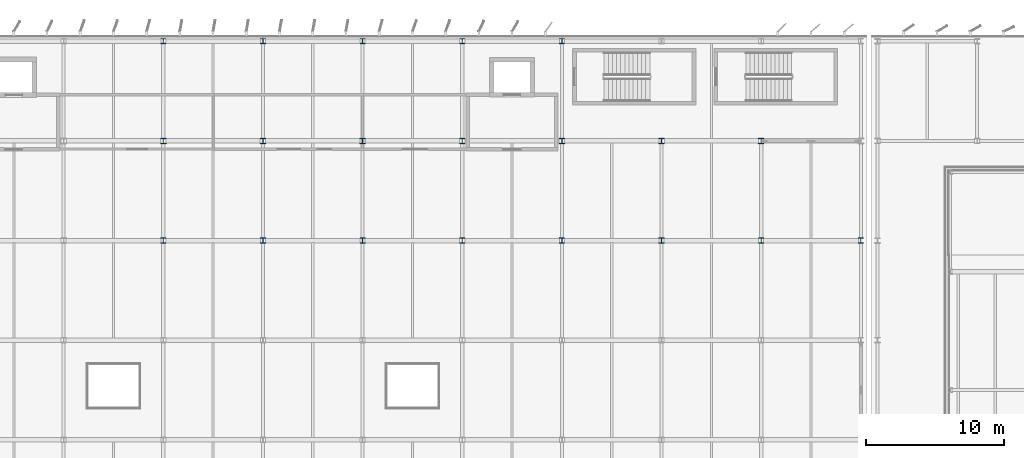
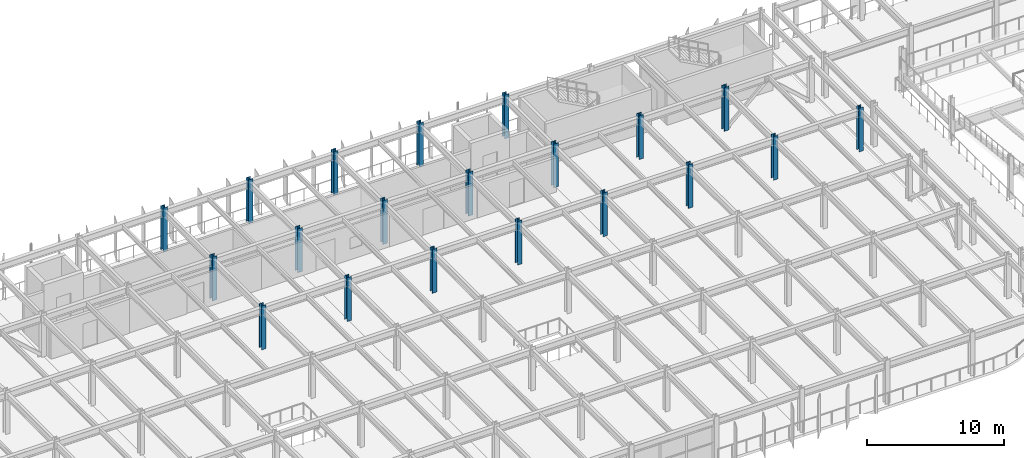
# One storey, part 7 of 80: 20 columns.
"""IFC4 building model written with IfcOpenShell, lengths in metres."""

from ifc_helpers import new_model, si_unit, direction, frame, origin, origin_2d, place, context, subcontext, project, spatial, i_section, extrude, material, material_profile, profile_set, type_object, element, save


model = new_model("IFC4")

# Units and contexts
model_context = context("Model", 3, precision=1e-05, world=origin(), true_north=direction((0.0, 1.0)))
body_context = subcontext(model_context, "Body", "Model", "MODEL_VIEW")
ifc_project = project(units=[si_unit("LENGTHUNIT", "METRE"), si_unit("AREAUNIT", "SQUARE_METRE"), si_unit("VOLUMEUNIT", "CUBIC_METRE"), si_unit("PLANEANGLEUNIT", "RADIAN"), si_unit("MASSUNIT", "GRAM", prefix="KILO")], contexts=[model_context])

# Site, building, storey
site_placement = place(None, origin())
site = spatial("IfcSite", under=ifc_project, at=site_placement, CompositionType="ELEMENT")
building_placement = place(site_placement, origin())
building = spatial("IfcBuilding", under=site, at=building_placement, Name="Vaelcorin Mobility Hub", CompositionType="ELEMENT")
storey_placement = place(building_placement, frame((0.0, 0.0, 9.300048828125)))
storey = spatial("IfcBuildingStorey", under=building, at=storey_placement, Name="L02", CompositionType="ELEMENT", Elevation=9.300048828125)

# Columns
ifc_material = material(Name="Steel ASTM A992 Grade 50", Category="steel")
ifc_material_profile_1 = material_profile(ifc_material, i_section(OverallWidth=0.373046875, OverallDepth=0.373046875, WebThickness=0.016357421875, FlangeThickness=0.026123046875, FilletRadius=0.014892578125, at=origin_2d()), Name="W14X132")
ifc_profile_set_1 = profile_set([ifc_material_profile_1], Name="Steel ASTM A992 Grade 50")
column_type_1 = type_object("IfcColumnType", Name="COL-W14X132", PredefinedType="COLUMN", material=ifc_profile_set_1)
for number, where, z_axis, x_axis, name in (
    (1, (72.0, 105.60009765625, 0.0), (0.0, 0.0, 1.0), (1.0, 0.0, 0.0), "Column V4-X06Y05 L02"),
    (2, (72.0, 120.0, 0.0), (0.0, 0.0, 1.0), (1.0, 0.0, 0.0), "Column V4-X06Y07 L02"),
    (3, (79.199951171875, 105.60009765625, 0.0), (0.0, 0.0, 1.0), (1.0, 0.0, 0.0), "Column V4-X07Y05 L02"),
    (4, (79.199951171875, 120.0, 0.0), (0.0, 0.0, 1.0), (1.0, 0.0, 0.0), "Column V4-X07Y07 L02"),
    (5, (86.39990234375, 105.60009765625, 0.0), (0.0, 0.0, 1.0), (1.0, 0.0, 0.0), "Column V4-X08Y05 L02"),
    (6, (86.39990234375, 120.0, 0.0), (0.0, 0.0, 1.0), (1.0, 0.0, 0.0), "Column V4-X08Y07 L02"),
    (7, (93.60009765625, 105.60009765625, 0.0), (0.0, 0.0, 1.0), (1.0, 0.0, 0.0), "Column V4-X09Y05 L02"),
    (8, (93.60009765625, 120.0, 0.0), (0.0, 0.0, 1.0), (1.0, 0.0, 0.0), "Column V4-X09Y07 L02"),
    (9, (100.800048828125, 105.60009765625, 0.0), (0.0, 0.0, 1.0), (1.0, 0.0, 0.0), "Column V4-X10Y05 L02"),
    (10, (100.800048828125, 120.0, 0.0), (0.0, 0.0, 1.0), (1.0, 0.0, 0.0), "Column V4-X10Y07 L02"),
    (11, (108.0, 105.60009765625, 0.0), (0.0, 0.0, 1.0), (1.0, 0.0, 0.0), "Column V4-X11Y05 L02"),
    (12, (115.199951171875, 105.60009765625, 0.0), (0.0, 0.0, 1.0), (1.0, 0.0, 0.0), "Column V4-X12Y05 L02"),
    (13, (122.39990234375, 105.60009765625, 0.0), (0.0, 0.0, 1.0), (1.0, 0.0, 0.0), "Column V4-X13Y05 L02"),
):
    element("IfcColumn", number, at=place(storey_placement, frame(where, z_axis=z_axis, x_axis=x_axis)), inside=storey, type_object=column_type_1, Name=name, PredefinedType="COLUMN", context=body_context, shape_type="SweptSolid", body=[
        extrude(i_section(OverallWidth=0.373046875, OverallDepth=0.373046875, WebThickness=0.016357421875, FlangeThickness=0.026123046875, FilletRadius=0.014892578125, at=origin_2d()), origin(), (0.0, 0.0, 1.0), 3.89990234375),
    ])
ifc_material_profile_2 = material_profile(ifc_material, i_section(OverallWidth=0.39599609375, OverallDepth=0.381103515625, WebThickness=0.018798828125, FlangeThickness=0.0302734375, FilletRadius=0.014892578125, at=origin_2d()), Name="W14X159")
ifc_profile_set_2 = profile_set([ifc_material_profile_2], Name="Steel ASTM A992 Grade 50")
column_type_2 = type_object("IfcColumnType", Name="COL-W14X159", PredefinedType="COLUMN", material=ifc_profile_set_2)
for number, where, z_axis, x_axis, name in (
    (14, (72.0, 112.800048828125, 0.0), (0.0, 0.0, 1.0), (1.0, 0.0, 0.0), "Column V4-X06Y06 L02"),
    (15, (79.199951171875, 112.800048828125, 0.0), (0.0, 0.0, 1.0), (1.0, 0.0, 0.0), "Column V4-X07Y06 L02"),
    (16, (86.39990234375, 112.800048828125, 0.0), (0.0, 0.0, 1.0), (1.0, 0.0, 0.0), "Column V4-X08Y06 L02"),
    (17, (93.60009765625, 112.800048828125, 0.0), (0.0, 0.0, 1.0), (1.0, 0.0, 0.0), "Column V4-X09Y06 L02"),
    (18, (100.800048828125, 112.800048828125, 0.0), (0.0, 0.0, 1.0), (1.0, 0.0, 0.0), "Column V4-X10Y06 L02"),
    (19, (108.0, 112.800048828125, 0.0), (0.0, 0.0, 1.0), (1.0, 0.0, 0.0), "Column V4-X11Y06 L02"),
    (20, (115.199951171875, 112.800048828125, 0.0), (0.0, 0.0, 1.0), (1.0, 0.0, 0.0), "Column V4-X12Y06 L02"),
):
    element("IfcColumn", number, at=place(storey_placement, frame(where, z_axis=z_axis, x_axis=x_axis)), inside=storey, type_object=column_type_2, Name=name, PredefinedType="COLUMN", context=body_context, shape_type="SweptSolid", body=[
        extrude(i_section(OverallWidth=0.39599609375, OverallDepth=0.381103515625, WebThickness=0.018798828125, FlangeThickness=0.0302734375, FilletRadius=0.014892578125, at=origin_2d()), origin(), (0.0, 0.0, 1.0), 3.89990234375),
    ])

save(model, "model.ifc")
